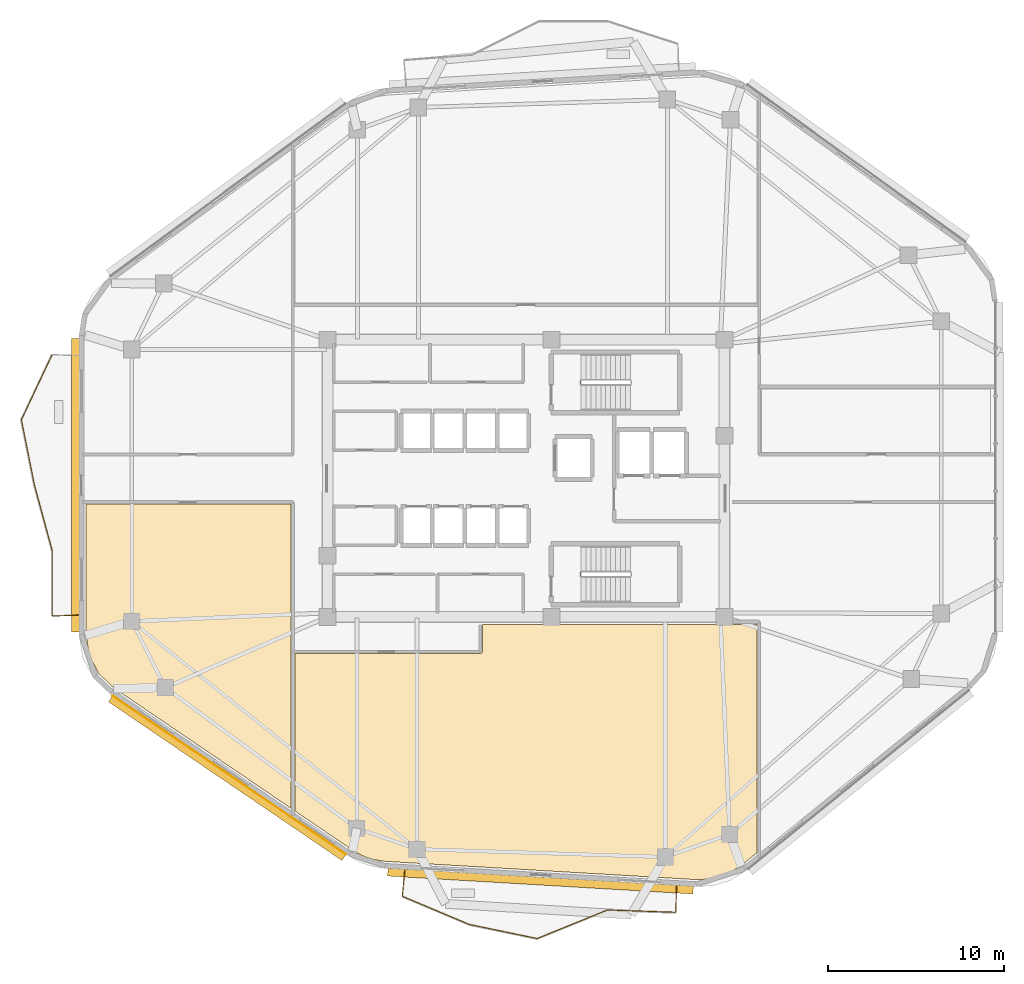
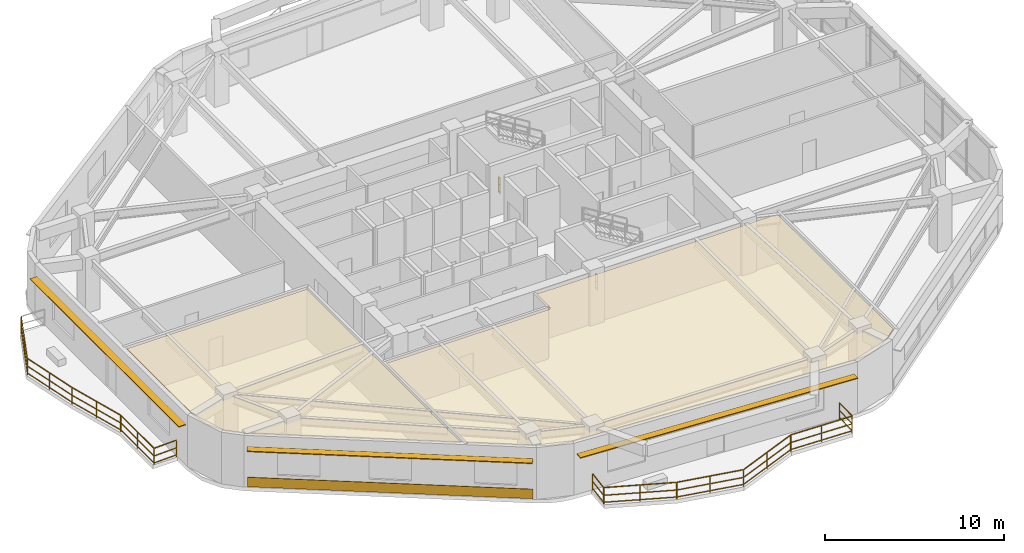
# One storey, part 12 of 14: 13 railings, 3 coverings, 3 shading devices.
"""IFC4 building model written with IfcOpenShell, lengths in metres."""

from ifc_helpers import new_model, si_unit, direction, frame, origin, origin_2d, place, context, subcontext, project, spatial, polyline, rectangle, outline, extrude, material, layer, layer_set, type_object, element, save


model = new_model("IFC4")

# Units and contexts
model_context = context("Model", 3, precision=1e-05, world=origin(), true_north=direction((0.0, 1.0)))
body_context = subcontext(model_context, "Body", "Model", "MODEL_VIEW")
ifc_project = project(units=[si_unit("LENGTHUNIT", "METRE"), si_unit("AREAUNIT", "SQUARE_METRE"), si_unit("VOLUMEUNIT", "CUBIC_METRE"), si_unit("PLANEANGLEUNIT", "RADIAN"), si_unit("MASSUNIT", "GRAM", prefix="KILO")], contexts=[model_context])

# Site, building, storey
site_placement = place(None, origin())
site = spatial("IfcSite", under=ifc_project, at=site_placement, CompositionType="ELEMENT")
building_placement = place(site_placement, origin())
building = spatial("IfcBuilding", under=site, at=building_placement, Name="Zulverin Broadcast Headquarters", CompositionType="ELEMENT")
storey_placement = place(building_placement, frame((0.0, 0.0, 201.0)))
storey = spatial("IfcBuildingStorey", under=building, at=storey_placement, Name="L51", CompositionType="ELEMENT", Elevation=201.0)

# Coverings
ifc_material_1 = material(Name="Perforated pale-metal acoustic baffle ceiling", Category="aluminium")
ifc_layer_1 = layer(ifc_material_1, 0.0400390625, Name="Perforated pale-metal acoustic baffle ceiling", Category="aluminium")
ifc_layer_set_1 = layer_set([ifc_layer_1], Name="Perforated pale-metal acoustic baffle ceiling")
covering_type_1 = type_object("IfcCoveringType", Name="COV-CEIL-ACOU", PredefinedType="CEILING", material=ifc_layer_set_1)
covering_1_placement = place(storey_placement, frame((0.0, 0.0, 3.360107421875)))
element("IfcCovering", 1, at=covering_1_placement, inside=storey, type_object=covering_type_1, Name="L51 Acoustic Baffle Ceiling 02", PredefinedType="CEILING", context=body_context, shape_type="SweptSolid", body=[
    extrude(outline(polyline([(48.6240234375, 16.884033203125), (48.612060546875, 16.8798828125), (48.60009765625, 16.8798828125), (34.52001953125, 16.8798828125), (34.52001953125, 15.35205078125), (34.52001953125, 15.340087890625), (34.51611328125, 15.327880859375), (34.51611328125, 15.31591796875), (34.511962890625, 15.30810546875), (34.50390625, 15.2958984375), (34.5, 15.283935546875), (34.491943359375, 15.27587890625), (34.48388671875, 15.26806640625), (34.47607421875, 15.260009765625), (34.468017578125, 15.251953125), (34.4560546875, 15.248046875), (34.444091796875, 15.239990234375), (34.43603515625, 15.236083984375), (34.424072265625, 15.236083984375), (34.412109375, 15.23193359375), (34.39990234375, 15.23193359375), (23.8720703125, 15.23193359375), (23.8720703125, 6.2919921875), (27.156005859375, 4.06396484375), (27.73193359375, 3.739990234375), (28.343994140625, 3.531982421875), (29.0, 3.431884765625), (46.7080078125, 2.39208984375), (47.612060546875, 2.451904296875), (48.4560546875, 2.719970703125), (49.22802734375, 3.199951171875), (50.132080078125, 3.931884765625), (50.132080078125, 16.89990234375), (48.66796875, 16.89990234375), (48.656005859375, 16.89599609375), (48.64404296875, 16.887939453125), (48.635986328125, 16.884033203125), (48.6240234375, 16.884033203125)])), origin(), (0.0, 0.0, 1.0), 0.039794921875),
])
covering_2_placement = place(storey_placement, frame((0.0, 0.0, 3.360107421875)))
element("IfcCovering", 2, at=covering_2_placement, inside=storey, type_object=covering_type_1, Name="L51 Acoustic Baffle Ceiling 03", PredefinedType="CEILING", context=body_context, shape_type="SweptSolid", body=[
    extrude(outline(polyline([(12.736083984375, 14.092041015625), (13.60400390625, 13.27197265625), (23.632080078125, 6.4560546875), (23.632080078125, 23.73193359375), (12.0, 23.73193359375), (12.0, 16.300048828125), (12.19189453125, 15.1240234375), (12.736083984375, 14.092041015625)])), origin(), (0.0, 0.0, 1.0), 0.039794921875),
])
ifc_material_2 = material(Name="Brushed pale-aluminium rainscreen cladding", Category="aluminium")
ifc_layer_2 = layer(ifc_material_2, 0.0400390625, Name="Brushed pale-aluminium rainscreen cladding", Category="aluminium")
ifc_layer_set_2 = layer_set([ifc_layer_2], Name="Brushed pale-aluminium rainscreen cladding")
covering_type_2 = type_object("IfcCoveringType", Name="COV-CLAD-PALE", PredefinedType="CLADDING", material=ifc_layer_set_2)
covering_3_placement = place(storey_placement, frame((20.141845703125, 8.33154296875, 0.054931640625), z_axis=(0.0, 0.0, 1.0), x_axis=(0.82702465201, -0.562165656162, 0.0)))
element("IfcCovering", 3, at=covering_3_placement, inside=storey, type_object=covering_type_2, Name="L51 Brushed Pale-Aluminium Spandrel Cladding 8", PredefinedType="CLADDING", context=body_context, shape_type="SweptSolid", body=[
    extrude(rectangle(XDim=16.03515625, YDim=0.0400390625, at=origin_2d()), origin(), (0.0, 0.0, 1.0), 0.64990234375),
])

# Railings
ifc_material_3 = material(Name="Brushed stainless steel & laminated glass balustrade", Category="steel")
railing_type_1 = type_object("IfcRailingType", Name="RL-GUARD-1150", PredefinedType="GUARDRAIL", material=ifc_material_3)
railing_1_placement = place(storey_placement, frame((10.073486328125, 32.226806640625, 0.0)))
element("IfcRailing", 4, at=railing_1_placement, inside=storey, type_object=railing_type_1, Name="L51 Vertical-Forest Balcony Guardrail BAL_W Segment 02", PredefinedType="GUARDRAIL", context=body_context, shape_type="SweptSolid", body=[
    extrude(rectangle(XDim=0.048095703125, YDim=0.048095703125, at=origin_2d()), frame((0.0, 0.0, 1.1259765625), z_axis=(-0.426589130423, -0.904445528379, 0.0), x_axis=(0.904445528379, -0.426589130423, 0.0)), (0.0, 0.0, 1.0), 4.0810546875),
    extrude(rectangle(XDim=0.0419921875, YDim=0.0419921875, at=origin_2d()), frame((0.0, 0.0, 0.597900390625), z_axis=(-0.426589130423, -0.904445528379, 0.0), x_axis=(0.904445528379, -0.426589130423, 0.0)), (0.0, 0.0, 1.0), 4.0810546875),
    extrude(rectangle(XDim=0.0419921875, YDim=0.0419921875, at=origin_2d()), frame((0.0, 0.0, 0.1201171875), z_axis=(-0.426589130423, -0.904445528379, 0.0), x_axis=(0.904445528379, -0.426589130423, 0.0)), (0.0, 0.0, 1.0), 4.0810546875),
    extrude(rectangle(XDim=0.0419921875, YDim=0.0419921875, at=origin_2d()), origin(), (0.0, 0.0, 1.0), 1.101806640625),
    extrude(rectangle(XDim=0.0419921875, YDim=0.0419921875, at=origin_2d()), frame((-0.87060546875, -1.845703125, 0.0)), (0.0, 0.0, 1.0), 1.101806640625),
    extrude(rectangle(XDim=0.0419921875, YDim=0.0419921875, at=origin_2d()), frame((-1.740966796875, -3.691162109375, 0.0)), (0.0, 0.0, 1.0), 1.101806640625),
])
railing_2_placement = place(storey_placement, frame((8.328857421875, 28.50732421875, 0.0)))
element("IfcRailing", 5, at=railing_2_placement, inside=storey, type_object=railing_type_1, Name="L51 Vertical-Forest Balcony Guardrail BAL_W Segment 03", PredefinedType="GUARDRAIL", context=body_context, shape_type="SweptSolid", body=[
    extrude(rectangle(XDim=0.048095703125, YDim=0.048095703125, at=origin_2d()), frame((0.0, 0.0, 1.1259765625), z_axis=(0.196128615943, -0.980578179447, 0.0), x_axis=(0.980578179447, 0.196128615943, 0.0)), (0.0, 0.0, 1.0), 3.76171875),
    extrude(rectangle(XDim=0.0419921875, YDim=0.0419921875, at=origin_2d()), frame((0.0, 0.0, 0.597900390625), z_axis=(0.196128615943, -0.980578179447, 0.0), x_axis=(0.980578179447, 0.196128615943, 0.0)), (0.0, 0.0, 1.0), 3.76171875),
    extrude(rectangle(XDim=0.0419921875, YDim=0.0419921875, at=origin_2d()), frame((0.0, 0.0, 0.1201171875), z_axis=(0.196128615943, -0.980578179447, 0.0), x_axis=(0.980578179447, 0.196128615943, 0.0)), (0.0, 0.0, 1.0), 3.76171875),
    extrude(rectangle(XDim=0.0419921875, YDim=0.0419921875, at=origin_2d()), origin(), (0.0, 0.0, 1.0), 1.101806640625),
    extrude(rectangle(XDim=0.0419921875, YDim=0.0419921875, at=origin_2d()), frame((0.368896484375, -1.84423828125, 0.0)), (0.0, 0.0, 1.0), 1.101806640625),
    extrude(rectangle(XDim=0.0419921875, YDim=0.0419921875, at=origin_2d()), frame((0.73779296875, -3.688720703125, 0.0)), (0.0, 0.0, 1.0), 1.101806640625),
])
railing_3_placement = place(storey_placement, frame((9.073486328125, 24.78955078125, 0.0)))
element("IfcRailing", 6, at=railing_3_placement, inside=storey, type_object=railing_type_1, Name="L51 Vertical-Forest Balcony Guardrail BAL_W Segment 04", PredefinedType="GUARDRAIL", context=body_context, shape_type="SweptSolid", body=[
    extrude(rectangle(XDim=0.048095703125, YDim=0.048095703125, at=origin_2d()), frame((0.0, 0.0, 1.1259765625), z_axis=(0.262274349085, -0.964993350139, 0.0), x_axis=(0.964993350139, 0.262274349085, 0.0)), (0.0, 0.0, 1.0), 3.822998046875),
    extrude(rectangle(XDim=0.0419921875, YDim=0.0419921875, at=origin_2d()), frame((0.0, 0.0, 0.597900390625), z_axis=(0.262274349085, -0.964993350139, 0.0), x_axis=(0.964993350139, 0.262274349085, 0.0)), (0.0, 0.0, 1.0), 3.822998046875),
    extrude(rectangle(XDim=0.0419921875, YDim=0.0419921875, at=origin_2d()), frame((0.0, 0.0, 0.1201171875), z_axis=(0.262274349085, -0.964993350139, 0.0), x_axis=(0.964993350139, 0.262274349085, 0.0)), (0.0, 0.0, 1.0), 3.822998046875),
    extrude(rectangle(XDim=0.0419921875, YDim=0.0419921875, at=origin_2d()), origin(), (0.0, 0.0, 1.0), 1.101806640625),
    extrude(rectangle(XDim=0.0419921875, YDim=0.0419921875, at=origin_2d()), frame((0.50146484375, -1.8447265625, 0.0)), (0.0, 0.0, 1.0), 1.101806640625),
    extrude(rectangle(XDim=0.0419921875, YDim=0.0419921875, at=origin_2d()), frame((1.002685546875, -3.689208984375, 0.0)), (0.0, 0.0, 1.0), 1.101806640625),
])
railing_4_placement = place(storey_placement, frame((10.080078125, 21.07080078125, 0.0)))
element("IfcRailing", 7, at=railing_4_placement, inside=storey, type_object=railing_type_1, Name="L51 Vertical-Forest Balcony Guardrail BAL_W Segment 05", PredefinedType="GUARDRAIL", context=body_context, shape_type="SweptSolid", body=[
    extrude(rectangle(XDim=0.048095703125, YDim=0.048095703125, at=origin_2d()), frame((0.0, 0.0, 1.1259765625), z_axis=(0.0, -1.0, 0.0), x_axis=(1.0, 0.0, 0.0)), (0.0, 0.0, 1.0), 3.688232421875),
    extrude(rectangle(XDim=0.0419921875, YDim=0.0419921875, at=origin_2d()), frame((0.0, 0.0, 0.597900390625), z_axis=(0.0, -1.0, 0.0), x_axis=(1.0, 0.0, 0.0)), (0.0, 0.0, 1.0), 3.688232421875),
    extrude(rectangle(XDim=0.0419921875, YDim=0.0419921875, at=origin_2d()), frame((0.0, 0.0, 0.1201171875), z_axis=(0.0, -1.0, 0.0), x_axis=(1.0, 0.0, 0.0)), (0.0, 0.0, 1.0), 3.688232421875),
    extrude(rectangle(XDim=0.0419921875, YDim=0.0419921875, at=origin_2d()), origin(), (0.0, 0.0, 1.0), 1.101806640625),
    extrude(rectangle(XDim=0.0419921875, YDim=0.0419921875, at=origin_2d()), frame((0.0, -1.84423828125, 0.0)), (0.0, 0.0, 1.0), 1.101806640625),
    extrude(rectangle(XDim=0.0419921875, YDim=0.0419921875, at=origin_2d()), frame((0.0, -3.688232421875, 0.0)), (0.0, 0.0, 1.0), 1.101806640625),
])
railing_5_placement = place(storey_placement, frame((10.094970703125, 17.3681640625, 0.0)))
element("IfcRailing", 8, at=railing_5_placement, inside=storey, type_object=railing_type_1, Name="L51 Vertical-Forest Balcony Guardrail BAL_W Segment 06", PredefinedType="GUARDRAIL", context=body_context, shape_type="SweptSolid", body=[
    extrude(rectangle(XDim=0.048095703125, YDim=0.048095703125, at=origin_2d()), frame((0.0, 0.0, 1.1259765625), z_axis=(0.999181155166, 0.040460093435, 0.0), x_axis=(-0.040460093435, 0.999181155166, 0.0)), (0.0, 0.0, 1.0), 1.46630859375),
    extrude(rectangle(XDim=0.0419921875, YDim=0.0419921875, at=origin_2d()), frame((0.0, 0.0, 0.597900390625), z_axis=(0.999181155166, 0.040460093435, 0.0), x_axis=(-0.040460093435, 0.999181155166, 0.0)), (0.0, 0.0, 1.0), 1.46630859375),
    extrude(rectangle(XDim=0.0419921875, YDim=0.0419921875, at=origin_2d()), frame((0.0, 0.0, 0.1201171875), z_axis=(0.999181155166, 0.040460093435, 0.0), x_axis=(-0.040460093435, 0.999181155166, 0.0)), (0.0, 0.0, 1.0), 1.46630859375),
    extrude(rectangle(XDim=0.0419921875, YDim=0.0419921875, at=origin_2d()), origin(), (0.0, 0.0, 1.0), 1.101806640625),
    extrude(rectangle(XDim=0.0419921875, YDim=0.0419921875, at=origin_2d()), frame((1.465087890625, 0.059326171875, 0.0)), (0.0, 0.0, 1.0), 1.101806640625),
])
railing_6_placement = place(storey_placement, frame((30.113037109375, 2.927001953125, 0.0)))
element("IfcRailing", 9, at=railing_6_placement, inside=storey, type_object=railing_type_1, Name="L51 Vertical-Forest Balcony Guardrail BAL_S Segment 01", PredefinedType="GUARDRAIL", context=body_context, shape_type="SweptSolid", body=[
    extrude(rectangle(XDim=0.048095703125, YDim=0.048095703125, at=origin_2d()), frame((0.0, 0.0, 1.1259765625), z_axis=(-0.099091482002, -0.995078327668, 0.0), x_axis=(0.995078327668, -0.099091482002, 0.0)), (0.0, 0.0, 1.0), 1.466064453125),
    extrude(rectangle(XDim=0.0419921875, YDim=0.0419921875, at=origin_2d()), frame((0.0, 0.0, 0.597900390625), z_axis=(-0.099091482002, -0.995078327668, 0.0), x_axis=(0.995078327668, -0.099091482002, 0.0)), (0.0, 0.0, 1.0), 1.466064453125),
    extrude(rectangle(XDim=0.0419921875, YDim=0.0419921875, at=origin_2d()), frame((0.0, 0.0, 0.1201171875), z_axis=(-0.099091482002, -0.995078327668, 0.0), x_axis=(0.995078327668, -0.099091482002, 0.0)), (0.0, 0.0, 1.0), 1.466064453125),
    extrude(rectangle(XDim=0.0419921875, YDim=0.0419921875, at=origin_2d()), origin(), (0.0, 0.0, 1.0), 1.101806640625),
    extrude(rectangle(XDim=0.0419921875, YDim=0.0419921875, at=origin_2d()), frame((-0.145263671875, -1.458740234375, 0.0)), (0.0, 0.0, 1.0), 1.101806640625),
])
railing_7_placement = place(storey_placement, frame((29.97998046875, 1.447509765625, 0.0)))
element("IfcRailing", 10, at=railing_7_placement, inside=storey, type_object=railing_type_1, Name="L51 Vertical-Forest Balcony Guardrail BAL_S Segment 02", PredefinedType="GUARDRAIL", context=body_context, shape_type="SweptSolid", body=[
    extrude(rectangle(XDim=0.048095703125, YDim=0.048095703125, at=origin_2d()), frame((0.0, 0.0, 1.1259765625), z_axis=(0.921635375138, -0.388057000058, 0.0), x_axis=(0.388057000058, 0.921635375138, 0.0)), (0.0, 0.0, 1.0), 4.10205078125),
    extrude(rectangle(XDim=0.0419921875, YDim=0.0419921875, at=origin_2d()), frame((0.0, 0.0, 0.597900390625), z_axis=(0.921635375138, -0.388057000058, 0.0), x_axis=(0.388057000058, 0.921635375138, 0.0)), (0.0, 0.0, 1.0), 4.10205078125),
    extrude(rectangle(XDim=0.0419921875, YDim=0.0419921875, at=origin_2d()), frame((0.0, 0.0, 0.1201171875), z_axis=(0.921635375138, -0.388057000058, 0.0), x_axis=(0.388057000058, 0.921635375138, 0.0)), (0.0, 0.0, 1.0), 4.10205078125),
    extrude(rectangle(XDim=0.0419921875, YDim=0.0419921875, at=origin_2d()), origin(), (0.0, 0.0, 1.0), 1.101806640625),
    extrude(rectangle(XDim=0.0419921875, YDim=0.0419921875, at=origin_2d()), frame((1.89013671875, -0.7958984375, 0.0)), (0.0, 0.0, 1.0), 1.101806640625),
    extrude(rectangle(XDim=0.0419921875, YDim=0.0419921875, at=origin_2d()), frame((3.780517578125, -1.591796875, 0.0)), (0.0, 0.0, 1.0), 1.101806640625),
])
railing_8_placement = place(storey_placement, frame((33.788818359375, -0.1533203125, 0.0)))
element("IfcRailing", 11, at=railing_8_placement, inside=storey, type_object=railing_type_1, Name="L51 Vertical-Forest Balcony Guardrail BAL_S Segment 03", PredefinedType="GUARDRAIL", context=body_context, shape_type="SweptSolid", body=[
    extrude(rectangle(XDim=0.048095703125, YDim=0.048095703125, at=origin_2d()), frame((0.0, 0.0, 1.1259765625), z_axis=(0.979114833476, -0.203308000008, 0.0), x_axis=(0.203308000008, 0.979114833476, 0.0)), (0.0, 0.0, 1.0), 3.907470703125),
    extrude(rectangle(XDim=0.0419921875, YDim=0.0419921875, at=origin_2d()), frame((0.0, 0.0, 0.597900390625), z_axis=(0.979114833476, -0.203308000008, 0.0), x_axis=(0.203308000008, 0.979114833476, 0.0)), (0.0, 0.0, 1.0), 3.907470703125),
    extrude(rectangle(XDim=0.0419921875, YDim=0.0419921875, at=origin_2d()), frame((0.0, 0.0, 0.1201171875), z_axis=(0.979114833476, -0.203308000008, 0.0), x_axis=(0.203308000008, 0.979114833476, 0.0)), (0.0, 0.0, 1.0), 3.907470703125),
    extrude(rectangle(XDim=0.0419921875, YDim=0.0419921875, at=origin_2d()), origin(), (0.0, 0.0, 1.0), 1.101806640625),
    extrude(rectangle(XDim=0.0419921875, YDim=0.0419921875, at=origin_2d()), frame((1.9130859375, -0.397216796875, 0.0)), (0.0, 0.0, 1.0), 1.101806640625),
    extrude(rectangle(XDim=0.0419921875, YDim=0.0419921875, at=origin_2d()), frame((3.825927734375, -0.79443359375, 0.0)), (0.0, 0.0, 1.0), 1.101806640625),
])
railing_9_placement = place(storey_placement, frame((37.643310546875, -0.9453125, 0.0)))
element("IfcRailing", 12, at=railing_9_placement, inside=storey, type_object=railing_type_1, Name="L51 Vertical-Forest Balcony Guardrail BAL_S Segment 04", PredefinedType="GUARDRAIL", context=body_context, shape_type="SweptSolid", body=[
    extrude(rectangle(XDim=0.048095703125, YDim=0.048095703125, at=origin_2d()), frame((0.0, 0.0, 1.1259765625), z_axis=(0.92672532382, 0.375739503102, 0.0), x_axis=(-0.375739503102, 0.92672532382, 0.0)), (0.0, 0.0, 1.0), 4.283935546875),
    extrude(rectangle(XDim=0.0419921875, YDim=0.0419921875, at=origin_2d()), frame((0.0, 0.0, 0.597900390625), z_axis=(0.92672532382, 0.375739503102, 0.0), x_axis=(-0.375739503102, 0.92672532382, 0.0)), (0.0, 0.0, 1.0), 4.283935546875),
    extrude(rectangle(XDim=0.0419921875, YDim=0.0419921875, at=origin_2d()), frame((0.0, 0.0, 0.1201171875), z_axis=(0.92672532382, 0.375739503102, 0.0), x_axis=(-0.375739503102, 0.92672532382, 0.0)), (0.0, 0.0, 1.0), 4.283935546875),
    extrude(rectangle(XDim=0.0419921875, YDim=0.0419921875, at=origin_2d()), origin(), (0.0, 0.0, 1.0), 1.101806640625),
    extrude(rectangle(XDim=0.0419921875, YDim=0.0419921875, at=origin_2d()), frame((1.98486328125, 0.8046875, 0.0)), (0.0, 0.0, 1.0), 1.101806640625),
    extrude(rectangle(XDim=0.0419921875, YDim=0.0419921875, at=origin_2d()), frame((3.969970703125, 1.609619140625, 0.0)), (0.0, 0.0, 1.0), 1.101806640625),
])
railing_10_placement = place(storey_placement, frame((41.64208984375, 0.66943359375, 0.0)))
element("IfcRailing", 13, at=railing_10_placement, inside=storey, type_object=railing_type_1, Name="L51 Vertical-Forest Balcony Guardrail BAL_S Segment 05", PredefinedType="GUARDRAIL", context=body_context, shape_type="SweptSolid", body=[
    extrude(rectangle(XDim=0.048095703125, YDim=0.048095703125, at=origin_2d()), frame((0.0, 0.0, 1.1259765625), z_axis=(0.999429312032, -0.033779435336, 0.0), x_axis=(0.033779435336, 0.999429312032, 0.0)), (0.0, 0.0, 1.0), 3.86669921875),
    extrude(rectangle(XDim=0.0419921875, YDim=0.0419921875, at=origin_2d()), frame((0.0, 0.0, 0.597900390625), z_axis=(0.999429312032, -0.033779435336, 0.0), x_axis=(0.033779435336, 0.999429312032, 0.0)), (0.0, 0.0, 1.0), 3.86669921875),
    extrude(rectangle(XDim=0.0419921875, YDim=0.0419921875, at=origin_2d()), frame((0.0, 0.0, 0.1201171875), z_axis=(0.999429312032, -0.033779435336, 0.0), x_axis=(0.033779435336, 0.999429312032, 0.0)), (0.0, 0.0, 1.0), 3.86669921875),
    extrude(rectangle(XDim=0.0419921875, YDim=0.0419921875, at=origin_2d()), origin(), (0.0, 0.0, 1.0), 1.101806640625),
    extrude(rectangle(XDim=0.0419921875, YDim=0.0419921875, at=origin_2d()), frame((1.93212890625, -0.0654296875, 0.0)), (0.0, 0.0, 1.0), 1.101806640625),
    extrude(rectangle(XDim=0.0419921875, YDim=0.0419921875, at=origin_2d()), frame((3.864501953125, -0.130615234375, 0.0)), (0.0, 0.0, 1.0), 1.101806640625),
])
railing_11_placement = place(storey_placement, frame((45.52197265625, 0.55322265625, 0.0)))
element("IfcRailing", 14, at=railing_11_placement, inside=storey, type_object=railing_type_1, Name="L51 Vertical-Forest Balcony Guardrail BAL_S Segment 06", PredefinedType="GUARDRAIL", context=body_context, shape_type="SweptSolid", body=[
    extrude(rectangle(XDim=0.048095703125, YDim=0.048095703125, at=origin_2d()), frame((0.0, 0.0, 1.1259765625), z_axis=(0.018148550851, 0.999835301488, 0.0), x_axis=(-0.999835301488, 0.018148550851, 0.0)), (0.0, 0.0, 1.0), 1.46630859375),
    extrude(rectangle(XDim=0.0419921875, YDim=0.0419921875, at=origin_2d()), frame((0.0, 0.0, 0.597900390625), z_axis=(0.018148550851, 0.999835301488, 0.0), x_axis=(-0.999835301488, 0.018148550851, 0.0)), (0.0, 0.0, 1.0), 1.46630859375),
    extrude(rectangle(XDim=0.0419921875, YDim=0.0419921875, at=origin_2d()), frame((0.0, 0.0, 0.1201171875), z_axis=(0.018148550851, 0.999835301488, 0.0), x_axis=(-0.999835301488, 0.018148550851, 0.0)), (0.0, 0.0, 1.0), 1.46630859375),
    extrude(rectangle(XDim=0.0419921875, YDim=0.0419921875, at=origin_2d()), origin(), (0.0, 0.0, 1.0), 1.101806640625),
    extrude(rectangle(XDim=0.0419921875, YDim=0.0419921875, at=origin_2d()), frame((0.026611328125, 1.466064453125, 0.0)), (0.0, 0.0, 1.0), 1.101806640625),
])
ifc_material_4 = material(Name="Painted galvanized steel tubular guardrail S355JR", Category="steel")
railing_type_2 = type_object("IfcRailingType", Name="RL-ST-GUARD", PredefinedType="GUARDRAIL", material=ifc_material_4)
railing_12_placement = place(storey_placement, frame((40.080078125, 30.550048828125, 0.0)))
element("IfcRailing", 15, at=railing_12_placement, inside=storey, type_object=railing_type_2, Name="L51 ST-1 stair guard 4", PredefinedType="GUARDRAIL", context=body_context, shape_type="SweptSolid", body=[
    extrude(rectangle(XDim=0.048095703125, YDim=0.048095703125, at=origin_2d()), frame((0.0, 0.0, 1.076171875), z_axis=(0.0, 1.0, 0.0), x_axis=(-1.0, 0.0, 0.0)), (0.0, 0.0, 1.0), 0.199951171875),
    extrude(rectangle(XDim=0.0419921875, YDim=0.0419921875, at=origin_2d()), frame((0.0, 0.0, 0.572021484375), z_axis=(0.0, 1.0, 0.0), x_axis=(-1.0, 0.0, 0.0)), (0.0, 0.0, 1.0), 0.199951171875),
    extrude(rectangle(XDim=0.0419921875, YDim=0.0419921875, at=origin_2d()), frame((0.0, 0.0, 0.1201171875), z_axis=(0.0, 1.0, 0.0), x_axis=(-1.0, 0.0, 0.0)), (0.0, 0.0, 1.0), 0.199951171875),
    extrude(rectangle(XDim=0.0419921875, YDim=0.0419921875, at=origin_2d()), origin(), (0.0, 0.0, 1.0), 1.052001953125),
    extrude(rectangle(XDim=0.0419921875, YDim=0.0419921875, at=origin_2d()), frame((0.0, 0.199951171875, 0.0)), (0.0, 0.0, 1.0), 1.052001953125),
])
railing_13_placement = place(storey_placement, frame((40.080078125, 19.64990234375, 0.0)))
element("IfcRailing", 16, at=railing_13_placement, inside=storey, type_object=railing_type_2, Name="L51 ST-2 stair guard 4", PredefinedType="GUARDRAIL", context=body_context, shape_type="SweptSolid", body=[
    extrude(rectangle(XDim=0.048095703125, YDim=0.048095703125, at=origin_2d()), frame((0.0, 0.0, 1.076171875), z_axis=(0.0, 1.0, 0.0), x_axis=(-1.0, 0.0, 0.0)), (0.0, 0.0, 1.0), 0.2001953125),
    extrude(rectangle(XDim=0.0419921875, YDim=0.0419921875, at=origin_2d()), frame((0.0, 0.0, 0.572021484375), z_axis=(0.0, 1.0, 0.0), x_axis=(-1.0, 0.0, 0.0)), (0.0, 0.0, 1.0), 0.2001953125),
    extrude(rectangle(XDim=0.0419921875, YDim=0.0419921875, at=origin_2d()), frame((0.0, 0.0, 0.1201171875), z_axis=(0.0, 1.0, 0.0), x_axis=(-1.0, 0.0, 0.0)), (0.0, 0.0, 1.0), 0.2001953125),
    extrude(rectangle(XDim=0.0419921875, YDim=0.0419921875, at=origin_2d()), origin(), (0.0, 0.0, 1.0), 1.052001953125),
    extrude(rectangle(XDim=0.0419921875, YDim=0.0419921875, at=origin_2d()), frame((0.0, 0.2001953125, 0.0)), (0.0, 0.0, 1.0), 1.052001953125),
])

# Shading devices
ifc_material_5 = material(Name="Anodized pale-metal aluminium sunshade", Category="aluminium")
ifc_layer_3 = layer(ifc_material_5, 0.06005859375, Name="Anodized pale-metal aluminium sunshade", Category="aluminium")
ifc_layer_set_3 = layer_set([ifc_layer_3], Name="Anodized pale-metal aluminium sunshade")
shading_device_type = type_object("IfcShadingDeviceType", Name="SS-01_PALE_METAL_ALUMINIUM_SUNSHADE", PredefinedType="USERDEFINED", material=ifc_layer_set_3)
shading_device_1_placement = place(storey_placement, frame((37.821533203125, 2.3134765625, 2.7099609375), z_axis=(0.0, 0.0, 1.0), x_axis=(0.998274435348, -0.058720965002, 0.0)))
element("IfcShadingDevice", 17, at=shading_device_1_placement, inside=storey, type_object=shading_device_type, Name="L51 Horizontal Pale-Metal Sunshade Band 1", ObjectType="SUNSHADE", PredefinedType="USERDEFINED", context=body_context, shape_type="SweptSolid", body=[
    extrude(rectangle(XDim=17.38232421875, YDim=0.449951171875, at=origin_2d()), origin(), (0.0, 0.0, 1.0), 0.06005859375),
])
shading_device_2_placement = place(storey_placement, frame((11.39990234375, 24.803955078125, 2.7099609375), z_axis=(0.0, 0.0, 1.0), x_axis=(0.0, -1.0, 0.0)))
element("IfcShadingDevice", 18, at=shading_device_2_placement, inside=storey, type_object=shading_device_type, Name="L51 Horizontal Pale-Metal Sunshade Band 7", ObjectType="SUNSHADE", PredefinedType="USERDEFINED", context=body_context, shape_type="SweptSolid", body=[
    extrude(rectangle(XDim=16.672607421875, YDim=0.449951171875, at=origin_2d()), origin(), (0.0, 0.0, 1.0), 0.06005859375),
])
shading_device_3_placement = place(storey_placement, frame((20.034912109375, 8.17431640625, 2.7099609375), z_axis=(0.0, 0.0, 1.0), x_axis=(0.82702465201, -0.562165656162, 0.0)))
element("IfcShadingDevice", 19, at=shading_device_3_placement, inside=storey, type_object=shading_device_type, Name="L51 Horizontal Pale-Metal Sunshade Band 8", ObjectType="SUNSHADE", PredefinedType="USERDEFINED", context=body_context, shape_type="SweptSolid", body=[
    extrude(rectangle(XDim=16.03515625, YDim=0.449951171875, at=origin_2d()), origin(), (0.0, 0.0, 1.0), 0.06005859375),
])

save(model, "model.ifc")
